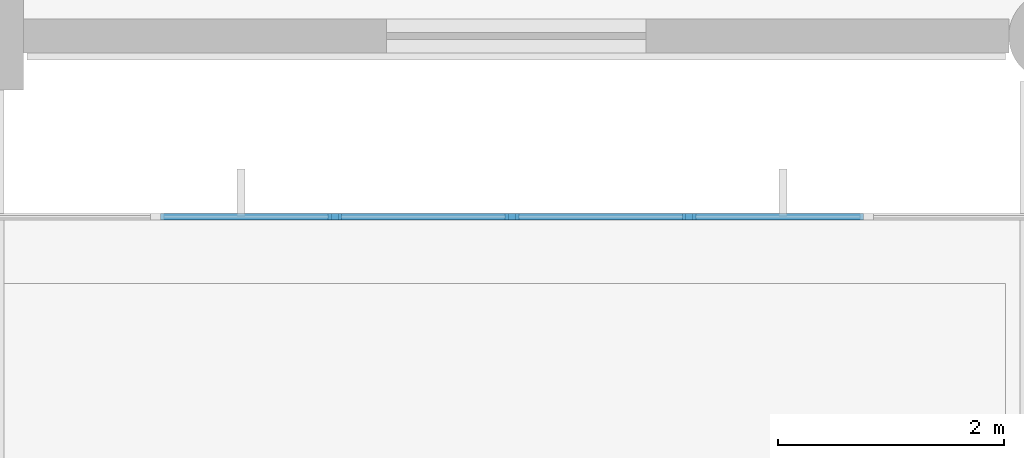
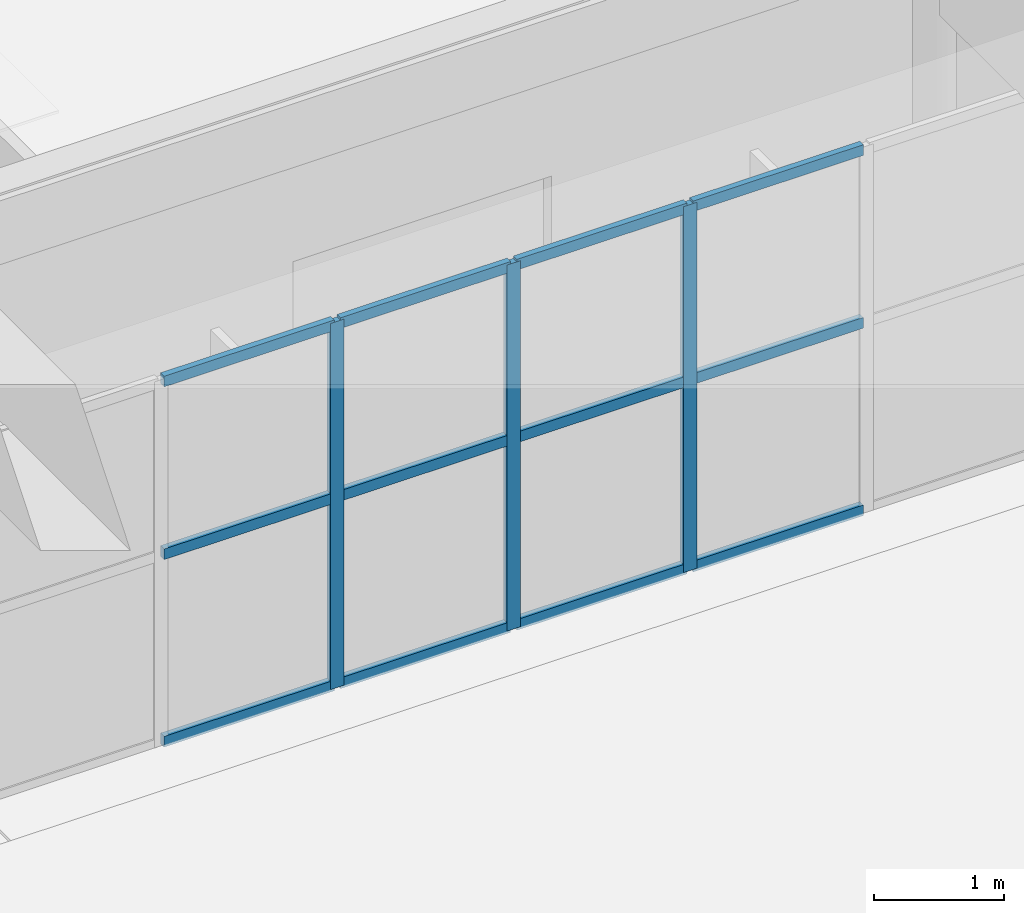
# One storey, part 17 of 86: 15 members, 1 element without a shape of its own.
"""IFC4 building model written with IfcOpenShell, lengths in metres."""

from ifc_helpers import new_model, si_unit, direction, frame, origin, origin_2d, place, context, subcontext, project, spatial, rectangle, extrude, material, layer, layer_set, material_profile, profile_set, type_object, element, aggregate, save


model = new_model("IFC4")

# Units and contexts
model_context = context("Model", 3, precision=1e-05, world=origin(), true_north=direction((0.0, 1.0)))
body_context = subcontext(model_context, "Body", "Model", "MODEL_VIEW")
ifc_project = project(units=[si_unit("LENGTHUNIT", "METRE"), si_unit("AREAUNIT", "SQUARE_METRE"), si_unit("VOLUMEUNIT", "CUBIC_METRE"), si_unit("PLANEANGLEUNIT", "RADIAN"), si_unit("MASSUNIT", "GRAM", prefix="KILO")], contexts=[model_context])

# Site, building, storey
site_placement = place(None, origin())
site = spatial("IfcSite", under=ifc_project, at=site_placement, CompositionType="ELEMENT")
building_placement = place(site_placement, origin())
building = spatial("IfcBuilding", under=site, at=building_placement, Name="Cendralis Terraced Arcade", CompositionType="ELEMENT")
storey_placement = place(building_placement, frame((0.0, 0.0, 5.39990234375)))
storey = spatial("IfcBuildingStorey", under=building, at=storey_placement, Name="L01", CompositionType="ELEMENT", Elevation=5.39990234375)

# Curtain wall, members
ifc_material = material(Name="Anodised aluminium EN AW-6063 T6", Category="aluminium")
ifc_layer = layer(ifc_material, 0.1201171875, Name="CW-STORE-B")
ifc_layer_set = layer_set([ifc_layer], Name="Anodised aluminium EN AW-6063 T6")
curtain_wall_type = type_object("IfcCurtainWallType", Name="CW-STORE-B", PredefinedType="USERDEFINED", material=ifc_layer_set)
curtain_wall_placement = place(storey_placement, origin())
curtain_wall = element("IfcCurtainWall", 1, at=curtain_wall_placement, inside=storey, type_object=curtain_wall_type, Name="Exterior Storefront Glazing CW-L01-0112", ObjectType="STOREFRONT GLAZING", PredefinedType="USERDEFINED")
ifc_material_profile_1 = material_profile(ifc_material, rectangle(XDim=0.054931640625, YDim=0.1201171875, at=origin_2d()), Name="ALU-MUL-55x120")
ifc_profile_set_1 = profile_set([ifc_material_profile_1], Name="Anodised aluminium EN AW-6063 T6")
member_type_1 = type_object("IfcMemberType", Name="CW-STORE-B-MUL", PredefinedType="MULLION", material=ifc_profile_set_1)
member_1_placement = place(storey_placement, frame((60.830078125, 58.39990234375, 0.0), z_axis=(0.0, 0.0, 1.0), x_axis=(0.0, 1.0, 0.0)))
member_1 = element("IfcMember", 2, at=member_1_placement, type_object=member_type_1, Name="CW-S2 mullion 3", PredefinedType="MULLION", context=body_context, shape_type="SweptSolid", body=[
    extrude(rectangle(XDim=0.054931640625, YDim=0.1201171875, at=origin_2d()), origin(), (0.0, 0.0, 1.0), 3.445068359375),
])
member_2_placement = place(storey_placement, frame((62.39990234375, 58.39990234375, 0.0), z_axis=(0.0, 0.0, 1.0), x_axis=(0.0, 1.0, 0.0)))
member_2 = element("IfcMember", 3, at=member_2_placement, type_object=member_type_1, Name="CW-S2 mullion 4", PredefinedType="MULLION", context=body_context, shape_type="SweptSolid", body=[
    extrude(rectangle(XDim=0.054931640625, YDim=0.1201171875, at=origin_2d()), origin(), (0.0, 0.0, 1.0), 3.445068359375),
])
member_3_placement = place(storey_placement, frame((63.969970703125, 58.39990234375, 0.0), z_axis=(0.0, 0.0, 1.0), x_axis=(0.0, 1.0, 0.0)))
member_3 = element("IfcMember", 4, at=member_3_placement, type_object=member_type_1, Name="CW-S2 mullion 5", PredefinedType="MULLION", context=body_context, shape_type="SweptSolid", body=[
    extrude(rectangle(XDim=0.054931640625, YDim=0.1201171875, at=origin_2d()), origin(), (0.0, 0.0, 1.0), 3.445068359375),
])
ifc_material_profile_2 = material_profile(ifc_material, rectangle(XDim=0.054931640625, YDim=0.10009765625, at=origin_2d()), Name="ALU-TRN-55x100")
ifc_profile_set_2 = profile_set([ifc_material_profile_2], Name="Anodised aluminium EN AW-6063 T6")
member_type_2 = type_object("IfcMemberType", Name="CW-STORE-B-TRN", PredefinedType="USERDEFINED", material=ifc_profile_set_2)
member_4_placement = place(storey_placement, frame((59.28759765625, 58.39990234375, 0.027587890625), z_axis=(1.0, 0.0, 0.0), x_axis=(0.0, 1.0, 0.0)))
member_4 = element("IfcMember", 5, at=member_4_placement, type_object=member_type_2, Name="CW-S2 transom 2.1", ObjectType="TRANSOM", PredefinedType="USERDEFINED", context=body_context, shape_type="SweptSolid", body=[
    extrude(rectangle(XDim=0.054931640625, YDim=0.10009765625, at=origin_2d()), origin(), (0.0, 0.0, 1.0), 1.514892578125),
])
member_5_placement = place(storey_placement, frame((59.28759765625, 58.39990234375, 1.79150390625), z_axis=(1.0, 0.0, 0.0), x_axis=(0.0, 1.0, 0.0)))
member_5 = element("IfcMember", 6, at=member_5_placement, type_object=member_type_2, Name="CW-S2 transom 2.2", ObjectType="TRANSOM", PredefinedType="USERDEFINED", context=body_context, shape_type="SweptSolid", body=[
    extrude(rectangle(XDim=0.054931640625, YDim=0.10009765625, at=origin_2d()), origin(), (0.0, 0.0, 1.0), 1.514892578125),
])
member_6_placement = place(storey_placement, frame((59.28759765625, 58.39990234375, 3.41748046875), z_axis=(1.0, 0.0, 0.0), x_axis=(0.0, 1.0, 0.0)))
member_6 = element("IfcMember", 7, at=member_6_placement, type_object=member_type_2, Name="CW-S2 transom 2.3", ObjectType="TRANSOM", PredefinedType="USERDEFINED", context=body_context, shape_type="SweptSolid", body=[
    extrude(rectangle(XDim=0.054931640625, YDim=0.10009765625, at=origin_2d()), origin(), (0.0, 0.0, 1.0), 1.514892578125),
])
member_7_placement = place(storey_placement, frame((60.857421875, 58.39990234375, 0.027587890625), z_axis=(1.0, 0.0, 0.0), x_axis=(0.0, 1.0, 0.0)))
member_7 = element("IfcMember", 8, at=member_7_placement, type_object=member_type_2, Name="CW-S2 transom 3.1", ObjectType="TRANSOM", PredefinedType="USERDEFINED", context=body_context, shape_type="SweptSolid", body=[
    extrude(rectangle(XDim=0.054931640625, YDim=0.10009765625, at=origin_2d()), origin(), (0.0, 0.0, 1.0), 1.51513671875),
])
member_8_placement = place(storey_placement, frame((60.857421875, 58.39990234375, 1.79150390625), z_axis=(1.0, 0.0, 0.0), x_axis=(0.0, 1.0, 0.0)))
member_8 = element("IfcMember", 9, at=member_8_placement, type_object=member_type_2, Name="CW-S2 transom 3.2", ObjectType="TRANSOM", PredefinedType="USERDEFINED", context=body_context, shape_type="SweptSolid", body=[
    extrude(rectangle(XDim=0.054931640625, YDim=0.10009765625, at=origin_2d()), origin(), (0.0, 0.0, 1.0), 1.51513671875),
])
member_9_placement = place(storey_placement, frame((60.857421875, 58.39990234375, 3.41748046875), z_axis=(1.0, 0.0, 0.0), x_axis=(0.0, 1.0, 0.0)))
member_9 = element("IfcMember", 10, at=member_9_placement, type_object=member_type_2, Name="CW-S2 transom 3.3", ObjectType="TRANSOM", PredefinedType="USERDEFINED", context=body_context, shape_type="SweptSolid", body=[
    extrude(rectangle(XDim=0.054931640625, YDim=0.10009765625, at=origin_2d()), origin(), (0.0, 0.0, 1.0), 1.51513671875),
])
member_10_placement = place(storey_placement, frame((62.427490234375, 58.39990234375, 0.027587890625), z_axis=(1.0, 0.0, 0.0), x_axis=(0.0, 1.0, 0.0)))
member_10 = element("IfcMember", 11, at=member_10_placement, type_object=member_type_2, Name="CW-S2 transom 4.1", ObjectType="TRANSOM", PredefinedType="USERDEFINED", context=body_context, shape_type="SweptSolid", body=[
    extrude(rectangle(XDim=0.054931640625, YDim=0.10009765625, at=origin_2d()), origin(), (0.0, 0.0, 1.0), 1.514892578125),
])
member_11_placement = place(storey_placement, frame((62.427490234375, 58.39990234375, 1.79150390625), z_axis=(1.0, 0.0, 0.0), x_axis=(0.0, 1.0, 0.0)))
member_11 = element("IfcMember", 12, at=member_11_placement, type_object=member_type_2, Name="CW-S2 transom 4.2", ObjectType="TRANSOM", PredefinedType="USERDEFINED", context=body_context, shape_type="SweptSolid", body=[
    extrude(rectangle(XDim=0.054931640625, YDim=0.10009765625, at=origin_2d()), origin(), (0.0, 0.0, 1.0), 1.514892578125),
])
member_12_placement = place(storey_placement, frame((62.427490234375, 58.39990234375, 3.41748046875), z_axis=(1.0, 0.0, 0.0), x_axis=(0.0, 1.0, 0.0)))
member_12 = element("IfcMember", 13, at=member_12_placement, type_object=member_type_2, Name="CW-S2 transom 4.3", ObjectType="TRANSOM", PredefinedType="USERDEFINED", context=body_context, shape_type="SweptSolid", body=[
    extrude(rectangle(XDim=0.054931640625, YDim=0.10009765625, at=origin_2d()), origin(), (0.0, 0.0, 1.0), 1.514892578125),
])
member_13_placement = place(storey_placement, frame((63.99755859375, 58.39990234375, 0.027587890625), z_axis=(1.0, 0.0, 0.0), x_axis=(0.0, 1.0, 0.0)))
member_13 = element("IfcMember", 14, at=member_13_placement, type_object=member_type_2, Name="CW-S2 transom 5.1", ObjectType="TRANSOM", PredefinedType="USERDEFINED", context=body_context, shape_type="SweptSolid", body=[
    extrude(rectangle(XDim=0.054931640625, YDim=0.10009765625, at=origin_2d()), origin(), (0.0, 0.0, 1.0), 1.514892578125),
])
member_14_placement = place(storey_placement, frame((63.99755859375, 58.39990234375, 1.79150390625), z_axis=(1.0, 0.0, 0.0), x_axis=(0.0, 1.0, 0.0)))
member_14 = element("IfcMember", 15, at=member_14_placement, type_object=member_type_2, Name="CW-S2 transom 5.2", ObjectType="TRANSOM", PredefinedType="USERDEFINED", context=body_context, shape_type="SweptSolid", body=[
    extrude(rectangle(XDim=0.054931640625, YDim=0.10009765625, at=origin_2d()), origin(), (0.0, 0.0, 1.0), 1.514892578125),
])
member_15_placement = place(storey_placement, frame((63.99755859375, 58.39990234375, 3.41748046875), z_axis=(1.0, 0.0, 0.0), x_axis=(0.0, 1.0, 0.0)))
member_15 = element("IfcMember", 16, at=member_15_placement, type_object=member_type_2, Name="CW-S2 transom 5.3", ObjectType="TRANSOM", PredefinedType="USERDEFINED", context=body_context, shape_type="SweptSolid", body=[
    extrude(rectangle(XDim=0.054931640625, YDim=0.10009765625, at=origin_2d()), origin(), (0.0, 0.0, 1.0), 1.514892578125),
])
aggregate(curtain_wall, [member_1, member_2, member_3, member_4, member_5, member_6, member_7, member_8, member_9, member_10, member_11, member_12, member_13, member_14, member_15])

save(model, "model.ifc")
